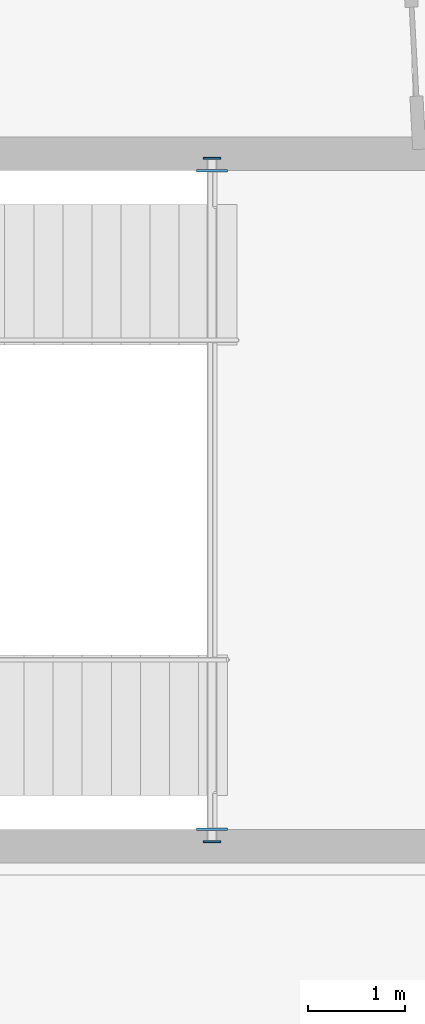
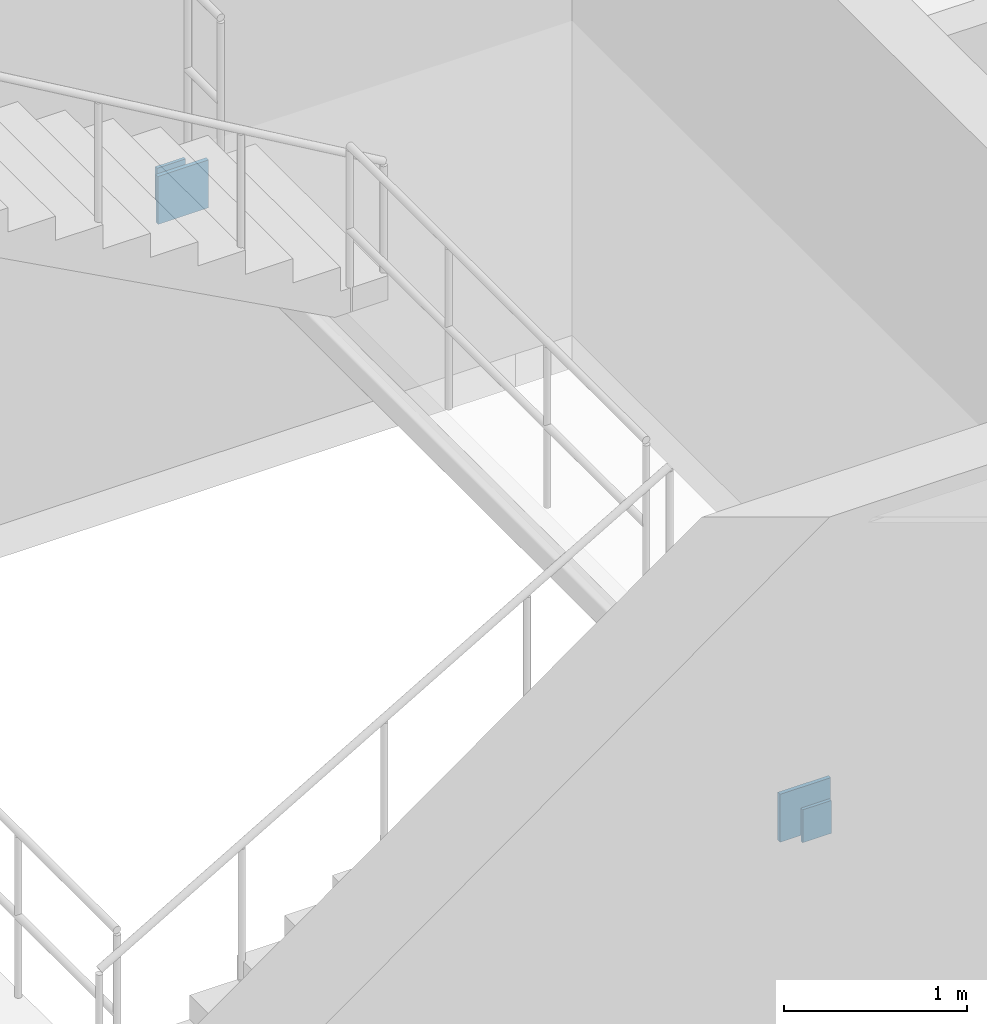
# One storey, part 39 of 57: 4 plates.
"""IFC4 building model written with IfcOpenShell, lengths in metres."""

from ifc_helpers import new_model, si_unit, direction, frame, origin, origin_2d, place, context, subcontext, project, spatial, rectangle, extrude, material, layer, layer_set, type_object, element, save


model = new_model("IFC4")

# Units and contexts
model_context = context("Model", 3, precision=1e-05, world=origin(), true_north=direction((0.0, 1.0)))
body_context = subcontext(model_context, "Body", "Model", "MODEL_VIEW")
ifc_project = project(units=[si_unit("LENGTHUNIT", "METRE"), si_unit("AREAUNIT", "SQUARE_METRE"), si_unit("VOLUMEUNIT", "CUBIC_METRE"), si_unit("PLANEANGLEUNIT", "RADIAN"), si_unit("MASSUNIT", "GRAM", prefix="KILO"), si_unit("THERMODYNAMICTEMPERATUREUNIT", "KELVIN"), si_unit("POWERUNIT", "WATT")], contexts=[model_context])

# Site, building, storey
site_placement = place(None, origin())
site = spatial("IfcSite", under=ifc_project, at=site_placement, CompositionType="ELEMENT")
building_placement = place(site_placement, origin())
building = spatial("IfcBuilding", under=site, at=building_placement, Name="Solvatero Civic Police Headquarters", CompositionType="ELEMENT")
storey_placement = place(building_placement, frame((0.0, 0.0, 9.300048828125)))
storey = spatial("IfcBuildingStorey", under=building, at=storey_placement, Name="L02", CompositionType="ELEMENT", Elevation=9.300048828125)

# Plates
ifc_material = material(Name="Steel S355", Category="steel")
ifc_layer_1 = layer(ifc_material, 0.02001953125)
ifc_layer_set_1 = layer_set([ifc_layer_1], Name="Steel S355")
plate_type_1 = type_object("IfcPlateType", Name="PLT-CAP-20", PredefinedType="SHEET", material=ifc_layer_set_1)
for number, where, z_axis, x_axis, name in (
    (1, (89.93994140625, 75.070068359375, 1.71484375), (0.0, 0.0, 1.0), (1.0, 0.0, 0.0), "Hollow Section Cap Plate 0045"),
    (2, (89.93994140625, 82.1298828125, 1.71484375), (0.0, 0.0, 1.0), (1.0, 0.0, 0.0), "Hollow Section Cap Plate 0046"),
):
    element("IfcPlate", number, at=place(storey_placement, frame(where, z_axis=z_axis, x_axis=x_axis)), inside=storey, type_object=plate_type_1, Name=name, PredefinedType="SHEET", context=body_context, shape_type="SweptSolid", body=[
        extrude(rectangle(XDim=0.179931640625, YDim=0.02001953125, at=origin_2d()), origin(), (0.0, 0.0, 1.0), 0.219970703125),
    ])
ifc_layer_2 = layer(ifc_material, 0.02490234375)
ifc_layer_set_2 = layer_set([ifc_layer_2], Name="Steel S355")
plate_type_2 = type_object("IfcPlateType", Name="PLT-EMB-25", PredefinedType="SHEET", material=ifc_layer_set_2)
for number, where, z_axis, x_axis, name in (
    (3, (89.93994140625, 75.199951171875, 1.6650390625), (0.0, 0.0, 1.0), (1.0, 0.0, 0.0), "Cast-In Shear Wall Embed Plate 0045"),
    (4, (89.93994140625, 82.0, 1.6650390625), (0.0, 0.0, 1.0), (1.0, 0.0, 0.0), "Cast-In Shear Wall Embed Plate 0046"),
):
    element("IfcPlate", number, at=place(storey_placement, frame(where, z_axis=z_axis, x_axis=x_axis)), inside=storey, type_object=plate_type_2, Name=name, PredefinedType="SHEET", context=body_context, shape_type="SweptSolid", body=[
        extrude(rectangle(XDim=0.320068359375, YDim=0.02490234375, at=origin_2d()), origin(), (0.0, 0.0, 1.0), 0.320068359375),
    ])

save(model, "model.ifc")
